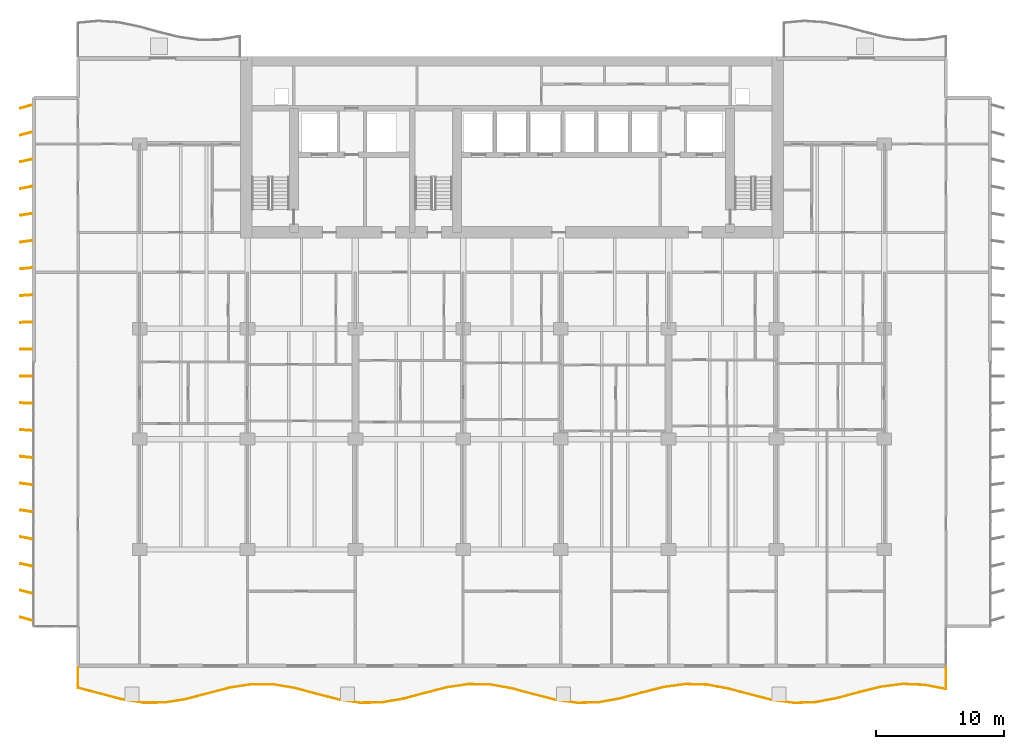
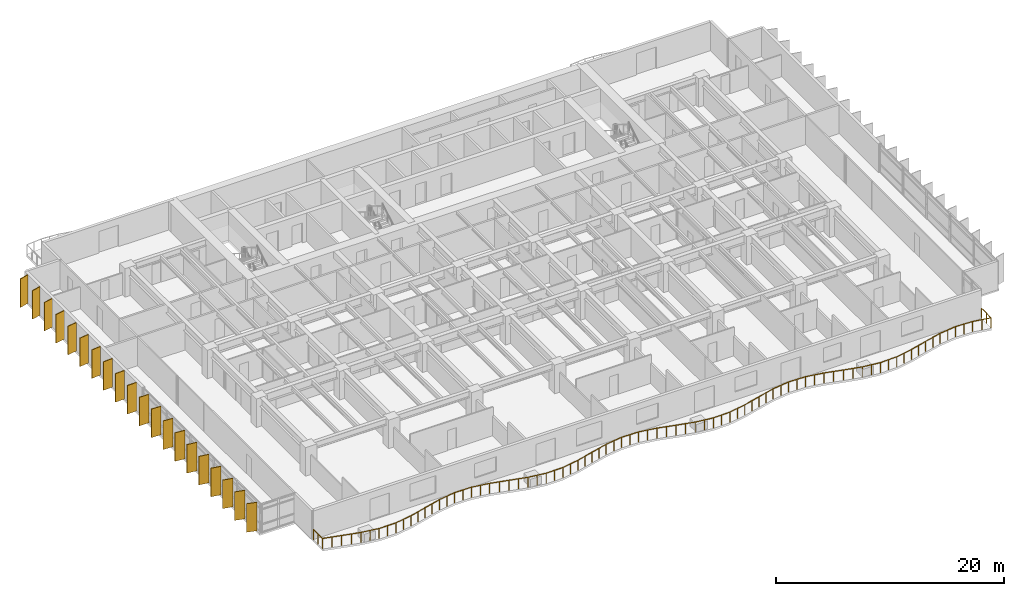
# One storey, part 14 of 17: 20 shading devices, 1 railing.
"""IFC4 building model written with IfcOpenShell, lengths in metres."""

from ifc_helpers import new_model, si_unit, direction, frame, origin, origin_2d, place, context, subcontext, project, spatial, rectangle, circle, extrude, material, material_profile, profile_set, type_object, element, save


model = new_model("IFC4")

# Units and contexts
model_context = context("Model", 3, precision=1e-05, world=origin(), true_north=direction((0.0, 1.0)))
body_context = subcontext(model_context, "Body", "Model", "MODEL_VIEW")
ifc_project = project(units=[si_unit("LENGTHUNIT", "METRE"), si_unit("AREAUNIT", "SQUARE_METRE"), si_unit("VOLUMEUNIT", "CUBIC_METRE"), si_unit("PLANEANGLEUNIT", "RADIAN"), si_unit("MASSUNIT", "GRAM", prefix="KILO")], contexts=[model_context])

# Site, building, storey
site_placement = place(None, origin())
site = spatial("IfcSite", under=ifc_project, at=site_placement, CompositionType="ELEMENT")
building_placement = place(site_placement, origin())
building = spatial("IfcBuilding", under=site, at=building_placement, Name="Caelmar Bay Residences", CompositionType="ELEMENT")
storey_placement = place(building_placement, frame((0.0, 0.0, 59.699951171875)))
storey = spatial("IfcBuildingStorey", under=building, at=storey_placement, Name="L15", CompositionType="ELEMENT", Elevation=59.699951171875)

# Railing
ifc_material_1 = material(Name="Anodised bronze handrail with laminated hurricane glass infill", Category="glass")
railing_type = type_object("IfcRailingType", Name="RL-BAL-1100", PredefinedType="BALUSTRADE", material=ifc_material_1)
railing_placement = place(storey_placement, frame((5.10009765625, 3.0, 0.0)))
element("IfcRailing", 1, at=railing_placement, inside=storey, type_object=railing_type, Name="L15 south Balcony Balustrade", PredefinedType="BALUSTRADE", context=body_context, shape_type="SweptSolid", body=[
    extrude(circle(Radius=0.02392578125, at=origin_2d()), frame((0.0, 0.0, 1.076171875), z_axis=(0.0, -1.0, 0.0), x_axis=(1.0, 0.0, 0.0)), (0.0, 0.0, 1.0), 1.5791015625),
    extrude(circle(Radius=0.02392578125, at=origin_2d()), frame((0.0, -1.5791015625, 1.076171875), z_axis=(0.967231823258, -0.25389486028, 0.0), x_axis=(0.25389486028, 0.967231823258, 0.0)), (0.0, 0.0, 1.0), 1.747314453125),
    extrude(circle(Radius=0.02392578125, at=origin_2d()), frame((1.68994140625, -2.022705078125, 1.076171875), z_axis=(0.967368961165, -0.25337184724, 0.0), x_axis=(0.25337184724, 0.967368961165, 0.0)), (0.0, 0.0, 1.0), 1.746826171875),
    extrude(circle(Radius=0.02392578125, at=origin_2d()), frame((3.3798828125, -2.46533203125, 1.076171875), z_axis=(0.987429947528, -0.158057264066, 0.0), x_axis=(0.158057264066, 0.987429947528, 0.0)), (0.0, 0.0, 1.0), 1.71142578125),
    extrude(circle(Radius=0.02392578125, at=origin_2d()), frame((5.06982421875, -2.73583984375, 1.076171875), z_axis=(0.999993479857, 0.00361112769, 0.0), x_axis=(-0.00361112769, 0.999993479857, 0.0)), (0.0, 0.0, 1.0), 1.690185546875),
    extrude(circle(Radius=0.02392578125, at=origin_2d()), frame((6.760009765625, -2.729736328125, 1.076171875), z_axis=(0.986524575318, 0.16361314829, 0.0), x_axis=(-0.16361314829, 0.986524575318, 0.0)), (0.0, 0.0, 1.0), 1.713134765625),
    extrude(circle(Radius=0.02392578125, at=origin_2d()), frame((8.449951171875, -2.449462890625, 1.076171875), z_axis=(0.966853438305, 0.255331997287, 0.0), x_axis=(-0.255331997287, 0.966853438305, 0.0)), (0.0, 0.0, 1.0), 1.747802734375),
    extrude(circle(Radius=0.02392578125, at=origin_2d()), frame((10.139892578125, -2.003173828125, 1.076171875), z_axis=(0.967778909052, 0.251801475759, 0.0), x_axis=(-0.251801475759, 0.967778909052, 0.0)), (0.0, 0.0, 1.0), 1.74609375),
    extrude(circle(Radius=0.02392578125, at=origin_2d()), frame((11.829833984375, -1.5634765625, 1.076171875), z_axis=(0.988071145599, 0.153998088416, 0.0), x_axis=(-0.153998088416, 0.988071145599, 0.0)), (0.0, 0.0, 1.0), 1.710693359375),
    extrude(circle(Radius=0.02392578125, at=origin_2d()), frame((13.52001953125, -1.300048828125, 1.076171875), z_axis=(0.999961172343, -0.008812139774, 0.0), x_axis=(0.008812139774, 0.999961172343, 0.0)), (0.0, 0.0, 1.0), 1.68994140625),
    extrude(circle(Radius=0.02392578125, at=origin_2d()), frame((15.2099609375, -1.31494140625, 1.076171875), z_axis=(0.985849727749, -0.167631483612, 0.0), x_axis=(0.167631483612, 0.985849727749, 0.0)), (0.0, 0.0, 1.0), 1.714111328125),
    extrude(circle(Radius=0.02392578125, at=origin_2d()), frame((16.89990234375, -1.602294921875, 1.076171875), z_axis=(0.966542484633, -0.25650657964, 0.0), x_axis=(0.25650657964, 0.966542484633, 0.0)), (0.0, 0.0, 1.0), 1.74853515625),
    extrude(circle(Radius=0.02392578125, at=origin_2d()), frame((18.58984375, -2.05078125, 1.076171875), z_axis=(0.968186650973, -0.25022911277, 0.0), x_axis=(0.25022911277, 0.968186650973, 0.0)), (0.0, 0.0, 1.0), 1.745361328125),
    extrude(circle(Radius=0.02392578125, at=origin_2d()), frame((20.27978515625, -2.487548828125, 1.076171875), z_axis=(0.988714222179, -0.149813840686, 0.0), x_axis=(0.149813840686, 0.988714222179, 0.0)), (0.0, 0.0, 1.0), 1.70947265625),
    extrude(circle(Radius=0.02392578125, at=origin_2d()), frame((21.969970703125, -2.74365234375, 1.076171875), z_axis=(0.999903841731, 0.013867490437, 0.0), x_axis=(-0.013867490437, 0.999903841731, 0.0)), (0.0, 0.0, 1.0), 1.690185546875),
    extrude(circle(Radius=0.02392578125, at=origin_2d()), frame((23.659912109375, -2.72021484375, 1.076171875), z_axis=(0.985183537336, 0.171503346213, 0.0), x_axis=(-0.171503346213, 0.985183537336, 0.0)), (0.0, 0.0, 1.0), 1.71533203125),
    extrude(circle(Radius=0.02392578125, at=origin_2d()), frame((25.349853515625, -2.426025390625, 1.076171875), z_axis=(0.966195543816, 0.257810339415, 0.0), x_axis=(-0.257810339415, 0.966195543816, 0.0)), (0.0, 0.0, 1.0), 1.7490234375),
    extrude(circle(Radius=0.02392578125, at=origin_2d()), frame((27.039794921875, -1.97509765625, 1.076171875), z_axis=(0.968634512431, 0.248489801253, 0.0), x_axis=(-0.248489801253, 0.968634512431, 0.0)), (0.0, 0.0, 1.0), 1.744873046875),
    extrude(circle(Radius=0.02392578125, at=origin_2d()), frame((28.72998046875, -1.54150390625, 1.076171875), z_axis=(0.989337340387, 0.145642119309, 0.0), x_axis=(-0.145642119309, 0.989337340387, 0.0)), (0.0, 0.0, 1.0), 1.708251953125),
    extrude(circle(Radius=0.02392578125, at=origin_2d()), frame((30.419921875, -1.292724609375, 1.076171875), z_axis=(0.999818224123, -0.019066166655, 0.0), x_axis=(0.019066166655, 0.999818224123, 0.0)), (0.0, 0.0, 1.0), 1.690185546875),
    extrude(circle(Radius=0.02392578125, at=origin_2d()), frame((32.10986328125, -1.324951171875, 1.076171875), z_axis=(0.984527628223, -0.17522941895, 0.0), x_axis=(0.17522941895, 0.984527628223, 0.0)), (0.0, 0.0, 1.0), 1.716552734375),
    extrude(circle(Radius=0.02392578125, at=origin_2d()), frame((33.7998046875, -1.625732421875, 1.076171875), z_axis=(0.965891365532, -0.258947620169, 0.0), x_axis=(0.258947620169, 0.965891365532, 0.0)), (0.0, 0.0, 1.0), 1.749755859375),
    extrude(circle(Radius=0.02392578125, at=origin_2d()), frame((35.489990234375, -2.078857421875, 1.076171875), z_axis=(0.96906248009, -0.246815537764, 0.0), x_axis=(0.246815537764, 0.96906248009, 0.0)), (0.0, 0.0, 1.0), 1.743896484375),
    extrude(circle(Radius=0.02392578125, at=origin_2d()), frame((37.179931640625, -2.50927734375, 1.076171875), z_axis=(0.989966648463, -0.141301220555, 0.0), x_axis=(0.141301220555, 0.989966648463, 0.0)), (0.0, 0.0, 1.0), 1.70703125),
    extrude(circle(Radius=0.02392578125, at=origin_2d()), frame((38.869873046875, -2.75048828125, 1.076171875), z_axis=(0.999709095649, 0.024118956801, 0.0), x_axis=(-0.024118956801, 0.999709095649, 0.0)), (0.0, 0.0, 1.0), 1.6904296875),
    extrude(circle(Radius=0.02392578125, at=origin_2d()), frame((40.559814453125, -2.709716796875, 1.076171875), z_axis=(0.983863087858, 0.178922956466, 0.0), x_axis=(-0.178922956466, 0.983863087858, 0.0)), (0.0, 0.0, 1.0), 1.718017578125),
    extrude(circle(Radius=0.02392578125, at=origin_2d()), frame((42.25, -2.40234375, 1.076171875), z_axis=(0.965602288492, 0.260023499819, 0.0), x_axis=(-0.260023499819, 0.965602288492, 0.0)), (0.0, 0.0, 1.0), 1.750244140625),
    extrude(circle(Radius=0.02392578125, at=origin_2d()), frame((43.93994140625, -1.947265625, 1.076171875), z_axis=(0.969529740211, 0.244973637045, 0.0), x_axis=(-0.244973637045, 0.969529740211, 0.0)), (0.0, 0.0, 1.0), 1.7431640625),
    extrude(circle(Radius=0.02392578125, at=origin_2d()), frame((45.6298828125, -1.520263671875, 1.076171875), z_axis=(0.990558239729, 0.137092573485, 0.0), x_axis=(-0.137092573485, 0.990558239729, 0.0)), (0.0, 0.0, 1.0), 1.7060546875),
    extrude(circle(Radius=0.02392578125, at=origin_2d()), frame((47.31982421875, -1.286376953125, 1.076171875), z_axis=(0.999570371119, -0.029309950215, 0.0), x_axis=(0.029309950215, 0.999570371119, 0.0)), (0.0, 0.0, 1.0), 1.69091796875),
    extrude(circle(Radius=0.02392578125, at=origin_2d()), frame((49.010009765625, -1.3359375, 1.076171875), z_axis=(0.983176348707, -0.182658882467, 0.0), x_axis=(0.182658882467, 0.983176348707, 0.0)), (0.0, 0.0, 1.0), 1.71875),
    extrude(circle(Radius=0.02392578125, at=origin_2d()), frame((50.699951171875, -1.64990234375, 1.076171875), z_axis=(0.965356747141, -0.260933613681, 0.0), x_axis=(0.260933613681, 0.965356747141, 0.0)), (0.0, 0.0, 1.0), 1.75048828125),
    extrude(circle(Radius=0.02392578125, at=origin_2d()), frame((52.389892578125, -2.106689453125, 1.076171875), z_axis=(0.970026983533, -0.242997224711, 0.0), x_axis=(0.242997224711, 0.970026983533, 0.0)), (0.0, 0.0, 1.0), 1.7421875),
    extrude(circle(Radius=0.02392578125, at=origin_2d()), frame((54.079833984375, -2.530029296875, 1.076171875), z_axis=(0.991153973963, -0.132716991747, 0.0), x_axis=(0.132716991747, 0.991153973963, 0.0)), (0.0, 0.0, 1.0), 1.705322265625),
    extrude(circle(Radius=0.02392578125, at=origin_2d()), frame((55.77001953125, -2.75634765625, 1.076171875), z_axis=(0.999404455088, 0.034507030449, 0.0), x_axis=(-0.034507030449, 0.999404455088, 0.0)), (0.0, 0.0, 1.0), 1.69091796875),
    extrude(circle(Radius=0.02392578125, at=origin_2d()), frame((57.4599609375, -2.697998046875, 1.076171875), z_axis=(0.982533088537, 0.186087962882, 0.0), x_axis=(-0.186087962882, 0.982533088537, 0.0)), (0.0, 0.0, 1.0), 1.719970703125),
    extrude(circle(Radius=0.02392578125, at=origin_2d()), frame((59.14990234375, -2.3779296875, 1.076171875), z_axis=(0.96507523212, 0.261972892394, 0.0), x_axis=(-0.261972892394, 0.96507523212, 0.0)), (0.0, 0.0, 1.0), 1.7509765625),
    extrude(circle(Radius=0.02392578125, at=origin_2d()), frame((60.83984375, -1.919189453125, 1.076171875), z_axis=(0.970553488538, 0.240885711255, 0.0), x_axis=(-0.240885711255, 0.970553488538, 0.0)), (0.0, 0.0, 1.0), 1.7412109375),
    extrude(circle(Radius=0.02392578125, at=origin_2d()), frame((62.52978515625, -1.499755859375, 1.076171875), z_axis=(0.991728527608, 0.12835313603, 0.0), x_axis=(-0.12835313603, 0.991728527608, 0.0)), (0.0, 0.0, 1.0), 1.704345703125),
    extrude(circle(Radius=0.02392578125, at=origin_2d()), frame((64.219970703125, -1.281005859375, 1.076171875), z_axis=(0.99921747551, -0.03955295988, 0.0), x_axis=(0.03955295988, 0.99921747551, 0.0)), (0.0, 0.0, 1.0), 1.691162109375),
    extrude(circle(Radius=0.02392578125, at=origin_2d()), frame((65.909912109375, -1.347900390625, 1.076171875), z_axis=(0.981825916591, -0.189783744062, 0.0), x_axis=(0.189783744062, 0.981825916591, 0.0)), (0.0, 0.0, 1.0), 1.72119140625),
    extrude(circle(Radius=0.02392578125, at=origin_2d()), frame((67.599853515625, -1.674560546875, 1.076171875), z_axis=(0.0, 1.0, 0.0), x_axis=(-1.0, 0.0, 0.0)), (0.0, 0.0, 1.0), 1.674560546875),
    extrude(circle(Radius=0.02099609375, at=origin_2d()), origin(), (0.0, 0.0, 1.0), 1.052001953125),
    extrude(circle(Radius=0.02099609375, at=origin_2d()), frame((0.0, -0.78955078125, 0.0)), (0.0, 0.0, 1.0), 1.052001953125),
    extrude(circle(Radius=0.02099609375, at=origin_2d()), frame((0.0, -1.5791015625, 0.0)), (0.0, 0.0, 1.0), 1.052001953125),
    extrude(circle(Radius=0.02099609375, at=origin_2d()), frame((0.844970703125, -1.80078125, 0.0)), (0.0, 0.0, 1.0), 1.052001953125),
    extrude(circle(Radius=0.02099609375, at=origin_2d()), frame((1.68994140625, -2.022705078125, 0.0)), (0.0, 0.0, 1.0), 1.052001953125),
    extrude(circle(Radius=0.02099609375, at=origin_2d()), frame((2.534912109375, -2.244140625, 0.0)), (0.0, 0.0, 1.0), 1.052001953125),
    extrude(circle(Radius=0.02099609375, at=origin_2d()), frame((3.3798828125, -2.46533203125, 0.0)), (0.0, 0.0, 1.0), 1.052001953125),
    extrude(circle(Radius=0.02099609375, at=origin_2d()), frame((4.224853515625, -2.6005859375, 0.0)), (0.0, 0.0, 1.0), 1.052001953125),
    extrude(circle(Radius=0.02099609375, at=origin_2d()), frame((5.06982421875, -2.73583984375, 0.0)), (0.0, 0.0, 1.0), 1.052001953125),
    extrude(circle(Radius=0.02099609375, at=origin_2d()), frame((5.9150390625, -2.73291015625, 0.0)), (0.0, 0.0, 1.0), 1.052001953125),
    extrude(circle(Radius=0.02099609375, at=origin_2d()), frame((6.760009765625, -2.729736328125, 0.0)), (0.0, 0.0, 1.0), 1.052001953125),
    extrude(circle(Radius=0.02099609375, at=origin_2d()), frame((7.60498046875, -2.589599609375, 0.0)), (0.0, 0.0, 1.0), 1.052001953125),
    extrude(circle(Radius=0.02099609375, at=origin_2d()), frame((8.449951171875, -2.449462890625, 0.0)), (0.0, 0.0, 1.0), 1.052001953125),
    extrude(circle(Radius=0.02099609375, at=origin_2d()), frame((9.294921875, -2.226318359375, 0.0)), (0.0, 0.0, 1.0), 1.052001953125),
    extrude(circle(Radius=0.02099609375, at=origin_2d()), frame((10.139892578125, -2.003173828125, 0.0)), (0.0, 0.0, 1.0), 1.052001953125),
    extrude(circle(Radius=0.02099609375, at=origin_2d()), frame((10.98486328125, -1.783203125, 0.0)), (0.0, 0.0, 1.0), 1.052001953125),
    extrude(circle(Radius=0.02099609375, at=origin_2d()), frame((11.829833984375, -1.5634765625, 0.0)), (0.0, 0.0, 1.0), 1.052001953125),
    extrude(circle(Radius=0.02099609375, at=origin_2d()), frame((12.6748046875, -1.431640625, 0.0)), (0.0, 0.0, 1.0), 1.052001953125),
    extrude(circle(Radius=0.02099609375, at=origin_2d()), frame((13.52001953125, -1.300048828125, 0.0)), (0.0, 0.0, 1.0), 1.052001953125),
    extrude(circle(Radius=0.02099609375, at=origin_2d()), frame((14.364990234375, -1.3076171875, 0.0)), (0.0, 0.0, 1.0), 1.052001953125),
    extrude(circle(Radius=0.02099609375, at=origin_2d()), frame((15.2099609375, -1.31494140625, 0.0)), (0.0, 0.0, 1.0), 1.052001953125),
    extrude(circle(Radius=0.02099609375, at=origin_2d()), frame((16.054931640625, -1.45849609375, 0.0)), (0.0, 0.0, 1.0), 1.052001953125),
    extrude(circle(Radius=0.02099609375, at=origin_2d()), frame((16.89990234375, -1.602294921875, 0.0)), (0.0, 0.0, 1.0), 1.052001953125),
    extrude(circle(Radius=0.02099609375, at=origin_2d()), frame((17.744873046875, -1.82666015625, 0.0)), (0.0, 0.0, 1.0), 1.052001953125),
    extrude(circle(Radius=0.02099609375, at=origin_2d()), frame((18.58984375, -2.05078125, 0.0)), (0.0, 0.0, 1.0), 1.052001953125),
    extrude(circle(Radius=0.02099609375, at=origin_2d()), frame((19.434814453125, -2.26904296875, 0.0)), (0.0, 0.0, 1.0), 1.052001953125),
    extrude(circle(Radius=0.02099609375, at=origin_2d()), frame((20.27978515625, -2.487548828125, 0.0)), (0.0, 0.0, 1.0), 1.052001953125),
    extrude(circle(Radius=0.02099609375, at=origin_2d()), frame((21.125, -2.61572265625, 0.0)), (0.0, 0.0, 1.0), 1.052001953125),
    extrude(circle(Radius=0.02099609375, at=origin_2d()), frame((21.969970703125, -2.74365234375, 0.0)), (0.0, 0.0, 1.0), 1.052001953125),
    extrude(circle(Radius=0.02099609375, at=origin_2d()), frame((22.81494140625, -2.73193359375, 0.0)), (0.0, 0.0, 1.0), 1.052001953125),
    extrude(circle(Radius=0.02099609375, at=origin_2d()), frame((23.659912109375, -2.72021484375, 0.0)), (0.0, 0.0, 1.0), 1.052001953125),
    extrude(circle(Radius=0.02099609375, at=origin_2d()), frame((24.5048828125, -2.5732421875, 0.0)), (0.0, 0.0, 1.0), 1.052001953125),
    extrude(circle(Radius=0.02099609375, at=origin_2d()), frame((25.349853515625, -2.426025390625, 0.0)), (0.0, 0.0, 1.0), 1.052001953125),
    extrude(circle(Radius=0.02099609375, at=origin_2d()), frame((26.19482421875, -2.20068359375, 0.0)), (0.0, 0.0, 1.0), 1.052001953125),
    extrude(circle(Radius=0.02099609375, at=origin_2d()), frame((27.039794921875, -1.97509765625, 0.0)), (0.0, 0.0, 1.0), 1.052001953125),
    extrude(circle(Radius=0.02099609375, at=origin_2d()), frame((27.884765625, -1.75830078125, 0.0)), (0.0, 0.0, 1.0), 1.052001953125),
    extrude(circle(Radius=0.02099609375, at=origin_2d()), frame((28.72998046875, -1.54150390625, 0.0)), (0.0, 0.0, 1.0), 1.052001953125),
    extrude(circle(Radius=0.02099609375, at=origin_2d()), frame((29.574951171875, -1.4169921875, 0.0)), (0.0, 0.0, 1.0), 1.052001953125),
    extrude(circle(Radius=0.02099609375, at=origin_2d()), frame((30.419921875, -1.292724609375, 0.0)), (0.0, 0.0, 1.0), 1.052001953125),
    extrude(circle(Radius=0.02099609375, at=origin_2d()), frame((31.264892578125, -1.308837890625, 0.0)), (0.0, 0.0, 1.0), 1.052001953125),
    extrude(circle(Radius=0.02099609375, at=origin_2d()), frame((32.10986328125, -1.324951171875, 0.0)), (0.0, 0.0, 1.0), 1.052001953125),
    extrude(circle(Radius=0.02099609375, at=origin_2d()), frame((32.954833984375, -1.475341796875, 0.0)), (0.0, 0.0, 1.0), 1.052001953125),
    extrude(circle(Radius=0.02099609375, at=origin_2d()), frame((33.7998046875, -1.625732421875, 0.0)), (0.0, 0.0, 1.0), 1.052001953125),
    extrude(circle(Radius=0.02099609375, at=origin_2d()), frame((34.64501953125, -1.852294921875, 0.0)), (0.0, 0.0, 1.0), 1.052001953125),
    extrude(circle(Radius=0.02099609375, at=origin_2d()), frame((35.489990234375, -2.078857421875, 0.0)), (0.0, 0.0, 1.0), 1.052001953125),
    extrude(circle(Radius=0.02099609375, at=origin_2d()), frame((36.3349609375, -2.2939453125, 0.0)), (0.0, 0.0, 1.0), 1.052001953125),
    extrude(circle(Radius=0.02099609375, at=origin_2d()), frame((37.179931640625, -2.50927734375, 0.0)), (0.0, 0.0, 1.0), 1.052001953125),
    extrude(circle(Radius=0.02099609375, at=origin_2d()), frame((38.02490234375, -2.6298828125, 0.0)), (0.0, 0.0, 1.0), 1.052001953125),
    extrude(circle(Radius=0.02099609375, at=origin_2d()), frame((38.869873046875, -2.75048828125, 0.0)), (0.0, 0.0, 1.0), 1.052001953125),
    extrude(circle(Radius=0.02099609375, at=origin_2d()), frame((39.71484375, -2.72998046875, 0.0)), (0.0, 0.0, 1.0), 1.052001953125),
    extrude(circle(Radius=0.02099609375, at=origin_2d()), frame((40.559814453125, -2.709716796875, 0.0)), (0.0, 0.0, 1.0), 1.052001953125),
    extrude(circle(Radius=0.02099609375, at=origin_2d()), frame((41.40478515625, -2.55615234375, 0.0)), (0.0, 0.0, 1.0), 1.052001953125),
    extrude(circle(Radius=0.02099609375, at=origin_2d()), frame((42.25, -2.40234375, 0.0)), (0.0, 0.0, 1.0), 1.052001953125),
    extrude(circle(Radius=0.02099609375, at=origin_2d()), frame((43.094970703125, -2.1748046875, 0.0)), (0.0, 0.0, 1.0), 1.052001953125),
    extrude(circle(Radius=0.02099609375, at=origin_2d()), frame((43.93994140625, -1.947265625, 0.0)), (0.0, 0.0, 1.0), 1.052001953125),
    extrude(circle(Radius=0.02099609375, at=origin_2d()), frame((44.784912109375, -1.73388671875, 0.0)), (0.0, 0.0, 1.0), 1.052001953125),
    extrude(circle(Radius=0.02099609375, at=origin_2d()), frame((45.6298828125, -1.520263671875, 0.0)), (0.0, 0.0, 1.0), 1.052001953125),
    extrude(circle(Radius=0.02099609375, at=origin_2d()), frame((46.474853515625, -1.4033203125, 0.0)), (0.0, 0.0, 1.0), 1.052001953125),
    extrude(circle(Radius=0.02099609375, at=origin_2d()), frame((47.31982421875, -1.286376953125, 0.0)), (0.0, 0.0, 1.0), 1.052001953125),
    extrude(circle(Radius=0.02099609375, at=origin_2d()), frame((48.1650390625, -1.31103515625, 0.0)), (0.0, 0.0, 1.0), 1.052001953125),
    extrude(circle(Radius=0.02099609375, at=origin_2d()), frame((49.010009765625, -1.3359375, 0.0)), (0.0, 0.0, 1.0), 1.052001953125),
    extrude(circle(Radius=0.02099609375, at=origin_2d()), frame((49.85498046875, -1.492919921875, 0.0)), (0.0, 0.0, 1.0), 1.052001953125),
    extrude(circle(Radius=0.02099609375, at=origin_2d()), frame((50.699951171875, -1.64990234375, 0.0)), (0.0, 0.0, 1.0), 1.052001953125),
    extrude(circle(Radius=0.02099609375, at=origin_2d()), frame((51.544921875, -1.87841796875, 0.0)), (0.0, 0.0, 1.0), 1.052001953125),
    extrude(circle(Radius=0.02099609375, at=origin_2d()), frame((52.389892578125, -2.106689453125, 0.0)), (0.0, 0.0, 1.0), 1.052001953125),
    extrude(circle(Radius=0.02099609375, at=origin_2d()), frame((53.23486328125, -2.318359375, 0.0)), (0.0, 0.0, 1.0), 1.052001953125),
    extrude(circle(Radius=0.02099609375, at=origin_2d()), frame((54.079833984375, -2.530029296875, 0.0)), (0.0, 0.0, 1.0), 1.052001953125),
    extrude(circle(Radius=0.02099609375, at=origin_2d()), frame((54.9248046875, -2.64306640625, 0.0)), (0.0, 0.0, 1.0), 1.052001953125),
    extrude(circle(Radius=0.02099609375, at=origin_2d()), frame((55.77001953125, -2.75634765625, 0.0)), (0.0, 0.0, 1.0), 1.052001953125),
    extrude(circle(Radius=0.02099609375, at=origin_2d()), frame((56.614990234375, -2.72705078125, 0.0)), (0.0, 0.0, 1.0), 1.052001953125),
    extrude(circle(Radius=0.02099609375, at=origin_2d()), frame((57.4599609375, -2.697998046875, 0.0)), (0.0, 0.0, 1.0), 1.052001953125),
    extrude(circle(Radius=0.02099609375, at=origin_2d()), frame((58.304931640625, -2.5380859375, 0.0)), (0.0, 0.0, 1.0), 1.052001953125),
    extrude(circle(Radius=0.02099609375, at=origin_2d()), frame((59.14990234375, -2.3779296875, 0.0)), (0.0, 0.0, 1.0), 1.052001953125),
    extrude(circle(Radius=0.02099609375, at=origin_2d()), frame((59.994873046875, -2.1484375, 0.0)), (0.0, 0.0, 1.0), 1.052001953125),
    extrude(circle(Radius=0.02099609375, at=origin_2d()), frame((60.83984375, -1.919189453125, 0.0)), (0.0, 0.0, 1.0), 1.052001953125),
    extrude(circle(Radius=0.02099609375, at=origin_2d()), frame((61.684814453125, -1.70947265625, 0.0)), (0.0, 0.0, 1.0), 1.052001953125),
    extrude(circle(Radius=0.02099609375, at=origin_2d()), frame((62.52978515625, -1.499755859375, 0.0)), (0.0, 0.0, 1.0), 1.052001953125),
    extrude(circle(Radius=0.02099609375, at=origin_2d()), frame((63.375, -1.390380859375, 0.0)), (0.0, 0.0, 1.0), 1.052001953125),
    extrude(circle(Radius=0.02099609375, at=origin_2d()), frame((64.219970703125, -1.281005859375, 0.0)), (0.0, 0.0, 1.0), 1.052001953125),
    extrude(circle(Radius=0.02099609375, at=origin_2d()), frame((65.06494140625, -1.314453125, 0.0)), (0.0, 0.0, 1.0), 1.052001953125),
    extrude(circle(Radius=0.02099609375, at=origin_2d()), frame((65.909912109375, -1.347900390625, 0.0)), (0.0, 0.0, 1.0), 1.052001953125),
    extrude(circle(Radius=0.02099609375, at=origin_2d()), frame((66.7548828125, -1.51123046875, 0.0)), (0.0, 0.0, 1.0), 1.052001953125),
    extrude(circle(Radius=0.02099609375, at=origin_2d()), frame((67.599853515625, -1.674560546875, 0.0)), (0.0, 0.0, 1.0), 1.052001953125),
    extrude(circle(Radius=0.02099609375, at=origin_2d()), frame((67.599853515625, -0.83740234375, 0.0)), (0.0, 0.0, 1.0), 1.052001953125),
    extrude(circle(Radius=0.02099609375, at=origin_2d()), frame((67.599853515625, 0.0, 0.0)), (0.0, 0.0, 1.0), 1.052001953125),
])

# Shading devices
ifc_material_2 = material(Name="Anodised architectural bronze aluminium 6063-T6", Category="aluminium")
ifc_material_profile = material_profile(ifc_material_2, rectangle(XDim=0.074951171875, YDim=0.949951171875, at=origin_2d()), Name="BRONZE-FIN-75X950")
ifc_profile_set = profile_set([ifc_material_profile], Name="Anodised architectural bronze aluminium 6063-T6")
shading_device_type = type_object("IfcShadingDeviceType", Name="SHD-FIN-950", PredefinedType="USERDEFINED", material=ifc_profile_set)
for number, where, z_axis, x_axis, name in (
    (2, (1.050048828125, 6.800048828125, 0.0), (0.0, 0.0, 1.0), (0.275637355817, 0.961261695938, 0.0), "L15 West Bronze Solar Fin 1"),
    (3, (1.050048828125, 8.89990234375, 0.0), (0.0, 0.0, 1.0), (0.247337247968, 0.968929453452, 0.0), "L15 West Bronze Solar Fin 2"),
    (4, (1.050048828125, 11.0, 0.0), (0.0, 0.0, 1.0), (0.218654200292, 0.975802408633, 0.0), "L15 West Bronze Solar Fin 3"),
    (5, (1.050048828125, 13.10009765625, 0.0), (0.0, 0.0, 1.0), (0.189952291512, 0.981793321911, 0.0), "L15 West Bronze Solar Fin 4"),
    (6, (1.050048828125, 15.199951171875, 0.0), (0.0, 0.0, 1.0), (0.160914826518, 0.986968296657, 0.0), "L15 West Bronze Solar Fin 5"),
    (7, (1.050048828125, 17.300048828125, 0.0), (0.0, 0.0, 1.0), (0.131910382711, 0.991261646052, 0.0), "L15 West Bronze Solar Fin 6"),
    (8, (1.050048828125, 19.39990234375, 0.0), (0.0, 0.0, 1.0), (0.10261892683, 0.994720742649, 0.0), "L15 West Bronze Solar Fin 7"),
    (9, (1.050048828125, 21.5, 0.0), (0.0, 0.0, 1.0), (0.073412260224, 0.997301679558, 0.0), "L15 West Bronze Solar Fin 8"),
    (10, (1.050048828125, 23.60009765625, 0.0), (0.0, 0.0, 1.0), (0.044142481788, 0.999025245578, 0.0), "L15 West Bronze Solar Fin 9"),
    (11, (1.050048828125, 25.699951171875, 0.0), (0.0, 0.0, 1.0), (0.01466024053, 0.999892532899, 0.0), "L15 West Bronze Solar Fin 10"),
    (12, (1.050048828125, 27.800048828125, 0.0), (0.0, 0.0, 1.0), (-0.01466024053, 0.999892532899, 0.0), "L15 West Bronze Solar Fin 11"),
    (13, (1.050048828125, 29.89990234375, 0.0), (0.0, 0.0, 1.0), (-0.044142481788, 0.999025245578, 0.0), "L15 West Bronze Solar Fin 12"),
    (14, (1.050048828125, 32.0, 0.0), (0.0, 0.0, 1.0), (-0.073412260224, 0.997301679558, 0.0), "L15 West Bronze Solar Fin 13"),
    (15, (1.050048828125, 34.10009765625, 0.0), (0.0, 0.0, 1.0), (-0.10261892683, 0.994720742649, 0.0), "L15 West Bronze Solar Fin 14"),
    (16, (1.050048828125, 36.199951171875, 0.0), (0.0, 0.0, 1.0), (-0.131910382711, 0.991261646052, 0.0), "L15 West Bronze Solar Fin 15"),
    (17, (1.050048828125, 38.300048828125, 0.0), (0.0, 0.0, 1.0), (-0.160914826518, 0.986968296657, 0.0), "L15 West Bronze Solar Fin 16"),
    (18, (1.050048828125, 40.39990234375, 0.0), (0.0, 0.0, 1.0), (-0.189952291512, 0.981793321911, 0.0), "L15 West Bronze Solar Fin 17"),
    (19, (1.050048828125, 42.5, 0.0), (0.0, 0.0, 1.0), (-0.218654200292, 0.975802408633, 0.0), "L15 West Bronze Solar Fin 18"),
    (20, (1.050048828125, 44.60009765625, 0.0), (0.0, 0.0, 1.0), (-0.247337247968, 0.968929453452, 0.0), "L15 West Bronze Solar Fin 19"),
    (21, (1.050048828125, 46.699951171875, 0.0), (0.0, 0.0, 1.0), (-0.275637355817, 0.961261695938, 0.0), "L15 West Bronze Solar Fin 20"),
):
    element("IfcShadingDevice", number, at=place(storey_placement, frame(where, z_axis=z_axis, x_axis=x_axis)), inside=storey, type_object=shading_device_type, Name=name, ObjectType="FIN", PredefinedType="USERDEFINED", context=body_context, shape_type="SweptSolid", body=[
        extrude(rectangle(XDim=0.074951171875, YDim=0.949951171875, at=origin_2d()), origin(), (0.0, 0.0, 1.0), 3.050048828125),
    ])

save(model, "model.ifc")
